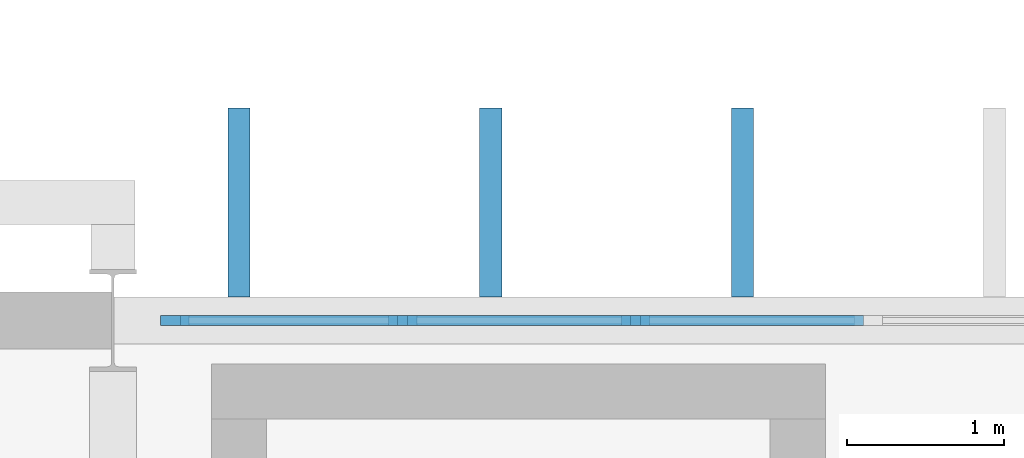
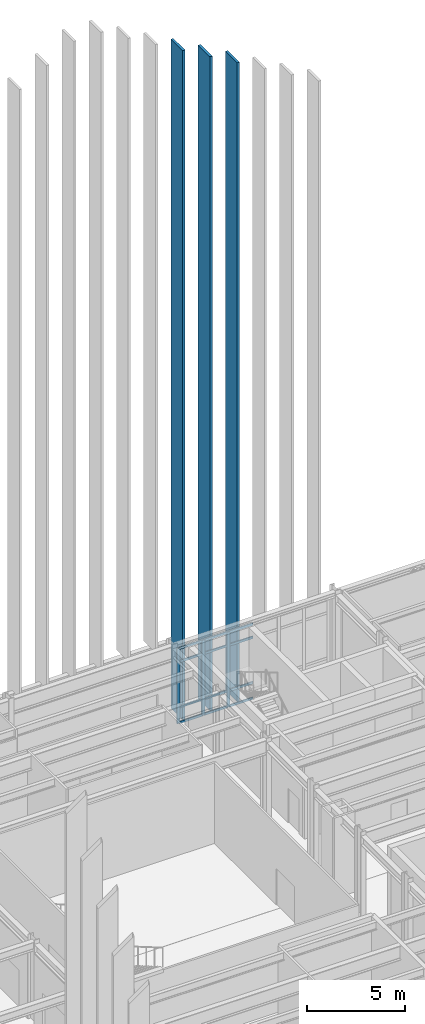
# One storey, part 52 of 109: 18 members, 1 element without a shape of its own.
"""IFC4 building model written with IfcOpenShell, lengths in metres."""

from ifc_helpers import new_model, si_unit, direction, frame, origin, origin_2d, place, context, subcontext, project, spatial, rectangle, extrude, material, layer, layer_set, material_profile, profile_set, type_object, element, aggregate, save


model = new_model("IFC4")

# Units and contexts
model_context = context("Model", 3, precision=1e-05, world=origin(), true_north=direction((0.0, 1.0)))
body_context = subcontext(model_context, "Body", "Model", "MODEL_VIEW")
ifc_project = project(units=[si_unit("LENGTHUNIT", "METRE"), si_unit("AREAUNIT", "SQUARE_METRE"), si_unit("VOLUMEUNIT", "CUBIC_METRE"), si_unit("PLANEANGLEUNIT", "RADIAN"), si_unit("MASSUNIT", "GRAM", prefix="KILO")], contexts=[model_context])

# Site, building, storey
site_placement = place(None, origin())
site = spatial("IfcSite", under=ifc_project, at=site_placement, CompositionType="ELEMENT")
building_placement = place(site_placement, origin())
building = spatial("IfcBuilding", under=site, at=building_placement, Name="Nordkorset Police Headquarters", CompositionType="ELEMENT")
storey_placement = place(building_placement, origin())
storey = spatial("IfcBuildingStorey", under=building, at=storey_placement, Name="L00", CompositionType="ELEMENT", Elevation=0.0)

# Curtain wall, members
ifc_material_1 = material(Name="Aluminium alloy AW-6060", Category="aluminium")
ifc_layer = layer(ifc_material_1, 0.179931640625, Name="Aluminium alloy AW-6060")
ifc_layer_set = layer_set([ifc_layer], Name="Aluminium alloy AW-6060")
curtain_wall_type = type_object("IfcCurtainWallType", Name="CW_Unit_888x467", PredefinedType="USERDEFINED", material=ifc_layer_set)
curtain_wall_placement = place(storey_placement, origin())
curtain_wall = element("IfcCurtainWall", 1, at=curtain_wall_placement, inside=storey, type_object=curtain_wall_type, Name="Unitised Curtain Wall L00 V1N-2", ObjectType="UNITISED CURTAIN WALL", PredefinedType="USERDEFINED")
ifc_material_2 = material(Name="Aluminium alloy AW-6060", Category="aluminium")
ifc_material_profile_1 = material_profile(ifc_material_2, rectangle(XDim=0.06494140625, YDim=0.179931640625, at=origin_2d()), Name="ALU MULL 65x180")
ifc_profile_set_1 = profile_set([ifc_material_profile_1], Name="Aluminium alloy AW-6060")
member_type_1 = type_object("IfcMemberType", Name="CW_Mullion_65x180", PredefinedType="MULLION", material=ifc_profile_set_1)
member_1_placement = place(storey_placement, frame((19.592529296875, 116.800048828125, 0.0), z_axis=(0.0, 0.0, 1.0), x_axis=(0.0, 1.0, 0.0)))
member_1 = element("IfcMember", 2, at=member_1_placement, type_object=member_type_1, Name="CW-51 mullion 1", PredefinedType="MULLION", context=body_context, shape_type="SweptSolid", body=[
    extrude(rectangle(XDim=0.06494140625, YDim=0.179931640625, at=origin_2d()), origin(), (0.0, 0.0, 1.0), 4.669921875),
])
member_2_placement = place(storey_placement, frame((21.0400390625, 116.800048828125, 0.0), z_axis=(0.0, 0.0, 1.0), x_axis=(0.0, 1.0, 0.0)))
member_2 = element("IfcMember", 3, at=member_2_placement, type_object=member_type_1, Name="CW-51 mullion 2", PredefinedType="MULLION", context=body_context, shape_type="SweptSolid", body=[
    extrude(rectangle(XDim=0.06494140625, YDim=0.179931640625, at=origin_2d()), origin(), (0.0, 0.0, 1.0), 4.669921875),
])
member_3_placement = place(storey_placement, frame((22.52001953125, 116.800048828125, 0.0), z_axis=(0.0, 0.0, 1.0), x_axis=(0.0, 1.0, 0.0)))
member_3 = element("IfcMember", 4, at=member_3_placement, type_object=member_type_1, Name="CW-51 mullion 3", PredefinedType="MULLION", context=body_context, shape_type="SweptSolid", body=[
    extrude(rectangle(XDim=0.06494140625, YDim=0.179931640625, at=origin_2d()), origin(), (0.0, 0.0, 1.0), 4.669921875),
])
ifc_material_3 = material(Name="Aluminium alloy AW-6060", Category="aluminium")
ifc_material_profile_2 = material_profile(ifc_material_3, rectangle(XDim=0.06494140625, YDim=0.139892578125, at=origin_2d()), Name="ALU TRAN 65x140")
ifc_profile_set_2 = profile_set([ifc_material_profile_2], Name="Aluminium alloy AW-6060")
member_type_2 = type_object("IfcMemberType", Name="CW_Transom_65x140", PredefinedType="USERDEFINED", material=ifc_profile_set_2)
member_4_placement = place(storey_placement, frame((19.625, 116.800048828125, 0.032470703125), z_axis=(1.0, 0.0, 0.0), x_axis=(0.0, 1.0, 0.0)))
member_4 = element("IfcMember", 5, at=member_4_placement, type_object=member_type_2, Name="CW-51 transom 1.1", ObjectType="TRANSOM", PredefinedType="USERDEFINED", context=body_context, shape_type="SweptSolid", body=[
    extrude(rectangle(XDim=0.06494140625, YDim=0.139892578125, at=origin_2d()), origin(), (0.0, 0.0, 1.0), 1.382568359375),
])
member_5_placement = place(storey_placement, frame((19.625, 116.800048828125, 1.0), z_axis=(1.0, 0.0, 0.0), x_axis=(0.0, 1.0, 0.0)))
member_5 = element("IfcMember", 6, at=member_5_placement, type_object=member_type_2, Name="CW-51 transom 1.2", ObjectType="TRANSOM", PredefinedType="USERDEFINED", context=body_context, shape_type="SweptSolid", body=[
    extrude(rectangle(XDim=0.06494140625, YDim=0.139892578125, at=origin_2d()), origin(), (0.0, 0.0, 1.0), 1.382568359375),
])
member_6_placement = place(storey_placement, frame((19.625, 116.800048828125, 3.820068359375), z_axis=(1.0, 0.0, 0.0), x_axis=(0.0, 1.0, 0.0)))
member_6 = element("IfcMember", 7, at=member_6_placement, type_object=member_type_2, Name="CW-51 transom 1.3", ObjectType="TRANSOM", PredefinedType="USERDEFINED", context=body_context, shape_type="SweptSolid", body=[
    extrude(rectangle(XDim=0.06494140625, YDim=0.139892578125, at=origin_2d()), origin(), (0.0, 0.0, 1.0), 1.382568359375),
])
member_7_placement = place(storey_placement, frame((19.625, 116.800048828125, 4.637451171875), z_axis=(1.0, 0.0, 0.0), x_axis=(0.0, 1.0, 0.0)))
member_7 = element("IfcMember", 8, at=member_7_placement, type_object=member_type_2, Name="CW-51 transom 1.4", ObjectType="TRANSOM", PredefinedType="USERDEFINED", context=body_context, shape_type="SweptSolid", body=[
    extrude(rectangle(XDim=0.06494140625, YDim=0.139892578125, at=origin_2d()), origin(), (0.0, 0.0, 1.0), 1.382568359375),
])
member_8_placement = place(storey_placement, frame((21.072509765625, 116.800048828125, 0.032470703125), z_axis=(1.0, 0.0, 0.0), x_axis=(0.0, 1.0, 0.0)))
member_8 = element("IfcMember", 9, at=member_8_placement, type_object=member_type_2, Name="CW-51 transom 2.1", ObjectType="TRANSOM", PredefinedType="USERDEFINED", context=body_context, shape_type="SweptSolid", body=[
    extrude(rectangle(XDim=0.06494140625, YDim=0.139892578125, at=origin_2d()), origin(), (0.0, 0.0, 1.0), 1.4150390625),
])
member_9_placement = place(storey_placement, frame((21.072509765625, 116.800048828125, 1.0), z_axis=(1.0, 0.0, 0.0), x_axis=(0.0, 1.0, 0.0)))
member_9 = element("IfcMember", 10, at=member_9_placement, type_object=member_type_2, Name="CW-51 transom 2.2", ObjectType="TRANSOM", PredefinedType="USERDEFINED", context=body_context, shape_type="SweptSolid", body=[
    extrude(rectangle(XDim=0.06494140625, YDim=0.139892578125, at=origin_2d()), origin(), (0.0, 0.0, 1.0), 1.4150390625),
])
member_10_placement = place(storey_placement, frame((21.072509765625, 116.800048828125, 3.820068359375), z_axis=(1.0, 0.0, 0.0), x_axis=(0.0, 1.0, 0.0)))
member_10 = element("IfcMember", 11, at=member_10_placement, type_object=member_type_2, Name="CW-51 transom 2.3", ObjectType="TRANSOM", PredefinedType="USERDEFINED", context=body_context, shape_type="SweptSolid", body=[
    extrude(rectangle(XDim=0.06494140625, YDim=0.139892578125, at=origin_2d()), origin(), (0.0, 0.0, 1.0), 1.4150390625),
])
member_11_placement = place(storey_placement, frame((21.072509765625, 116.800048828125, 4.637451171875), z_axis=(1.0, 0.0, 0.0), x_axis=(0.0, 1.0, 0.0)))
member_11 = element("IfcMember", 12, at=member_11_placement, type_object=member_type_2, Name="CW-51 transom 2.4", ObjectType="TRANSOM", PredefinedType="USERDEFINED", context=body_context, shape_type="SweptSolid", body=[
    extrude(rectangle(XDim=0.06494140625, YDim=0.139892578125, at=origin_2d()), origin(), (0.0, 0.0, 1.0), 1.4150390625),
])
member_12_placement = place(storey_placement, frame((22.552490234375, 116.800048828125, 0.032470703125), z_axis=(1.0, 0.0, 0.0), x_axis=(0.0, 1.0, 0.0)))
member_12 = element("IfcMember", 13, at=member_12_placement, type_object=member_type_2, Name="CW-51 transom 3.1", ObjectType="TRANSOM", PredefinedType="USERDEFINED", context=body_context, shape_type="SweptSolid", body=[
    extrude(rectangle(XDim=0.06494140625, YDim=0.139892578125, at=origin_2d()), origin(), (0.0, 0.0, 1.0), 1.4150390625),
])
member_13_placement = place(storey_placement, frame((22.552490234375, 116.800048828125, 1.0), z_axis=(1.0, 0.0, 0.0), x_axis=(0.0, 1.0, 0.0)))
member_13 = element("IfcMember", 14, at=member_13_placement, type_object=member_type_2, Name="CW-51 transom 3.2", ObjectType="TRANSOM", PredefinedType="USERDEFINED", context=body_context, shape_type="SweptSolid", body=[
    extrude(rectangle(XDim=0.06494140625, YDim=0.139892578125, at=origin_2d()), origin(), (0.0, 0.0, 1.0), 1.4150390625),
])
member_14_placement = place(storey_placement, frame((22.552490234375, 116.800048828125, 3.820068359375), z_axis=(1.0, 0.0, 0.0), x_axis=(0.0, 1.0, 0.0)))
member_14 = element("IfcMember", 15, at=member_14_placement, type_object=member_type_2, Name="CW-51 transom 3.3", ObjectType="TRANSOM", PredefinedType="USERDEFINED", context=body_context, shape_type="SweptSolid", body=[
    extrude(rectangle(XDim=0.06494140625, YDim=0.139892578125, at=origin_2d()), origin(), (0.0, 0.0, 1.0), 1.4150390625),
])
member_15_placement = place(storey_placement, frame((22.552490234375, 116.800048828125, 4.637451171875), z_axis=(1.0, 0.0, 0.0), x_axis=(0.0, 1.0, 0.0)))
member_15 = element("IfcMember", 16, at=member_15_placement, type_object=member_type_2, Name="CW-51 transom 3.4", ObjectType="TRANSOM", PredefinedType="USERDEFINED", context=body_context, shape_type="SweptSolid", body=[
    extrude(rectangle(XDim=0.06494140625, YDim=0.139892578125, at=origin_2d()), origin(), (0.0, 0.0, 1.0), 1.4150390625),
])
aggregate(curtain_wall, [member_1, member_2, member_3, member_4, member_5, member_6, member_7, member_8, member_9, member_10, member_11, member_12, member_13, member_14, member_15])

# Members
ifc_material_4 = material(Name="Glulam GL30c", Category="wood")
ifc_material_profile_3 = material_profile(ifc_material_4, rectangle(XDim=0.139892578125, YDim=1.199951171875, at=origin_2d()), Name="GL30C FIN 140x1200")
ifc_profile_set_3 = profile_set([ifc_material_profile_3], Name="Glulam GL30c")
member_type_3 = type_object("IfcMemberType", Name="Member_GlulamFin_140x1200", PredefinedType="USERDEFINED", material=ifc_profile_set_3)
member_16_placement = place(storey_placement, frame((20.0, 117.550048828125, 0.0), z_axis=(0.0, 0.0, 1.0), x_axis=(1.0, 0.0, 0.0)))
element("IfcMember", 17, at=member_16_placement, inside=storey, type_object=member_type_3, Name="Vertical Glulam Gable Fin North 067", ObjectType="VERTICAL TIMBER FIN", PredefinedType="USERDEFINED", context=body_context, shape_type="SweptSolid", body=[
    extrude(rectangle(XDim=0.139892578125, YDim=1.199951171875, at=origin_2d()), origin(), (0.0, 0.0, 1.0), 41.578857421875),
])
member_17_placement = place(storey_placement, frame((21.60009765625, 117.550048828125, 0.0), z_axis=(0.0, 0.0, 1.0), x_axis=(1.0, 0.0, 0.0)))
element("IfcMember", 18, at=member_17_placement, inside=storey, type_object=member_type_3, Name="Vertical Glulam Gable Fin North 069", ObjectType="VERTICAL TIMBER FIN", PredefinedType="USERDEFINED", context=body_context, shape_type="SweptSolid", body=[
    extrude(rectangle(XDim=0.139892578125, YDim=1.199951171875, at=origin_2d()), origin(), (0.0, 0.0, 1.0), 40.639892578125),
])
member_18_placement = place(storey_placement, frame((23.199951171875, 117.550048828125, 0.0), z_axis=(0.0, 0.0, 1.0), x_axis=(1.0, 0.0, 0.0)))
element("IfcMember", 19, at=member_18_placement, inside=storey, type_object=member_type_3, Name="Vertical Glulam Gable Fin North 071", ObjectType="VERTICAL TIMBER FIN", PredefinedType="USERDEFINED", context=body_context, shape_type="SweptSolid", body=[
    extrude(rectangle(XDim=0.139892578125, YDim=1.199951171875, at=origin_2d()), origin(), (0.0, 0.0, 1.0), 39.701171875),
])

save(model, "model.ifc")
